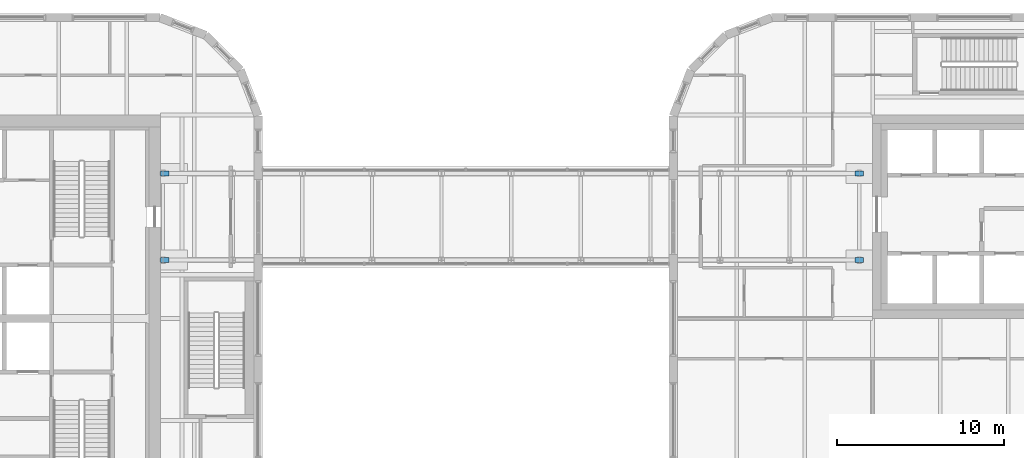
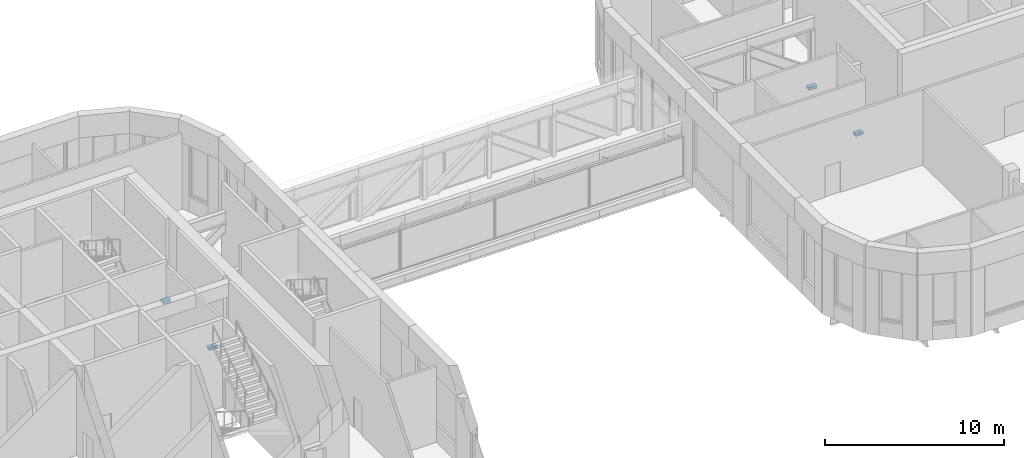
# One storey, part 13 of 36: 4 members.
"""IFC4 building model written with IfcOpenShell, lengths in metres."""

from ifc_helpers import new_model, si_unit, direction, frame, origin, origin_2d, place, context, subcontext, project, spatial, rectangle, extrude, material, layer, layer_set, type_object, element, save


model = new_model("IFC4")

# Units and contexts
model_context = context("Model", 3, precision=1e-05, world=origin(), true_north=direction((0.0, 1.0)))
body_context = subcontext(model_context, "Body", "Model", "MODEL_VIEW")
ifc_project = project(units=[si_unit("LENGTHUNIT", "METRE"), si_unit("AREAUNIT", "SQUARE_METRE"), si_unit("VOLUMEUNIT", "CUBIC_METRE"), si_unit("PLANEANGLEUNIT", "RADIAN"), si_unit("MASSUNIT", "GRAM", prefix="KILO")], contexts=[model_context])

# Site, building, storey
site_placement = place(None, origin())
site = spatial("IfcSite", under=ifc_project, at=site_placement, CompositionType="ELEMENT")
building_placement = place(site_placement, origin())
building = spatial("IfcBuilding", under=site, at=building_placement, Name="Tessera Gate Towers", CompositionType="ELEMENT")
storey_placement = place(building_placement, frame((0.0, 0.0, 106.60009765625)))
storey = spatial("IfcBuildingStorey", under=building, at=storey_placement, Name="L26", CompositionType="ELEMENT", Elevation=106.60009765625)

# Members
ifc_material_1 = material(Name="Steel 350W", Category="steel")
ifc_layer_1 = layer(ifc_material_1, 0.199951171875)
ifc_layer_set_1 = layer_set([ifc_layer_1], Name="BRIDGE PINNED BEARING")
member_type_1 = type_object("IfcMemberType", Name="BRIDGE PINNED BEARING", PredefinedType="USERDEFINED", material=ifc_layer_set_1)
for number, where, z_axis, x_axis, name in (
    (1, (55.14990234375, 40.10009765625, -1.28515625), (0.0, 0.0, 1.0), (1.0, 0.0, 0.0), "Fixed bearing BR2 Tessera Tower end 1"),
    (2, (55.14990234375, 45.300048828125, -1.28515625), (0.0, 0.0, 1.0), (1.0, 0.0, 0.0), "Fixed bearing BR2 Tessera Tower end 2"),
):
    element("IfcMember", number, at=place(storey_placement, frame(where, z_axis=z_axis, x_axis=x_axis)), inside=storey, type_object=member_type_1, Name=name, ObjectType="BEARING", PredefinedType="USERDEFINED", context=body_context, shape_type="SweptSolid", body=[
        extrude(rectangle(XDim=0.5, YDim=0.300048828125, at=origin_2d()), origin(), (0.0, 0.0, 1.0), 0.199951171875),
    ])
ifc_material_2 = material(Name="Steel 350W", Category="steel")
ifc_layer_2 = layer(ifc_material_2, 0.199951171875)
ifc_layer_set_2 = layer_set([ifc_layer_2], Name="BRIDGE SLIDING BEARING")
member_type_2 = type_object("IfcMemberType", Name="BRIDGE SLIDING BEARING", PredefinedType="USERDEFINED", material=ifc_layer_set_2)
for number, where, z_axis, x_axis, name in (
    (3, (96.800048828125, 40.10009765625, -1.28515625), (0.0, 0.0, 1.0), (1.0, 0.0, 0.0), "Sliding bearing BR2 Gate Tower end 1"),
    (4, (96.800048828125, 45.300048828125, -1.28515625), (0.0, 0.0, 1.0), (1.0, 0.0, 0.0), "Sliding bearing BR2 Gate Tower end 2"),
):
    element("IfcMember", number, at=place(storey_placement, frame(where, z_axis=z_axis, x_axis=x_axis)), inside=storey, type_object=member_type_2, Name=name, ObjectType="BEARING", PredefinedType="USERDEFINED", context=body_context, shape_type="SweptSolid", body=[
        extrude(rectangle(XDim=0.5, YDim=0.300048828125, at=origin_2d()), origin(), (0.0, 0.0, 1.0), 0.199951171875),
    ])

save(model, "model.ifc")
